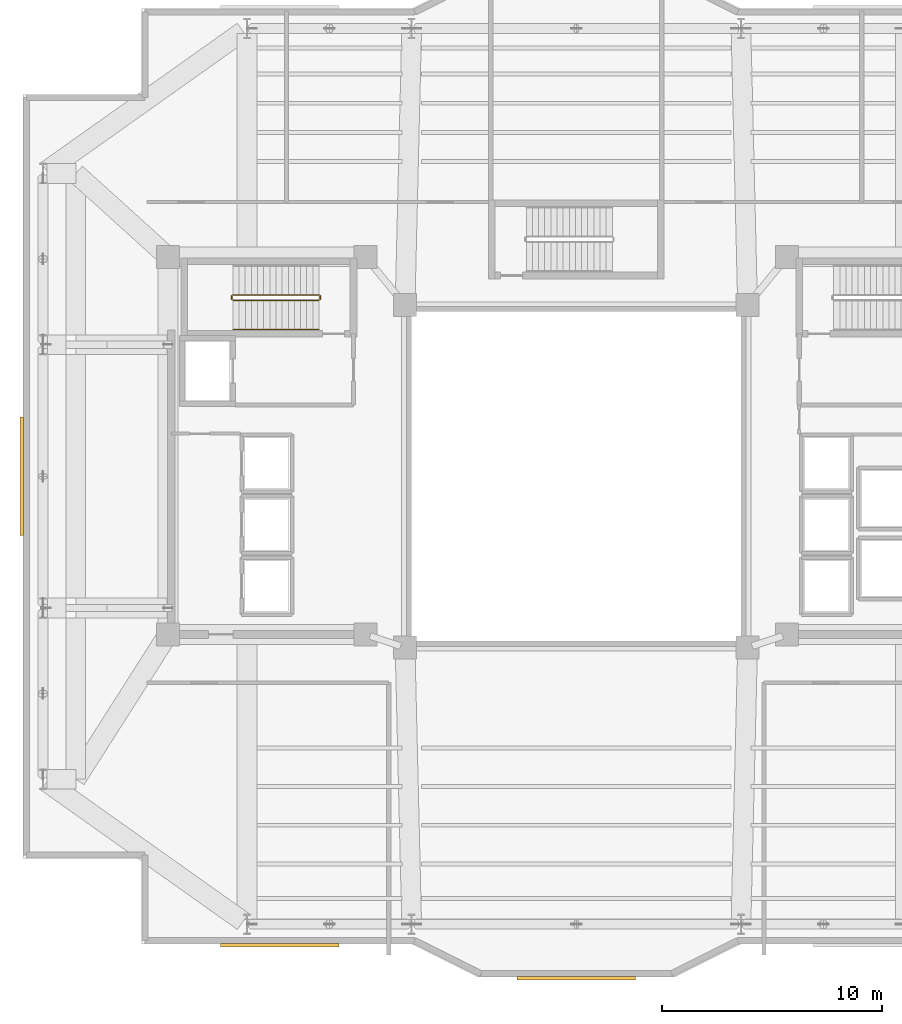
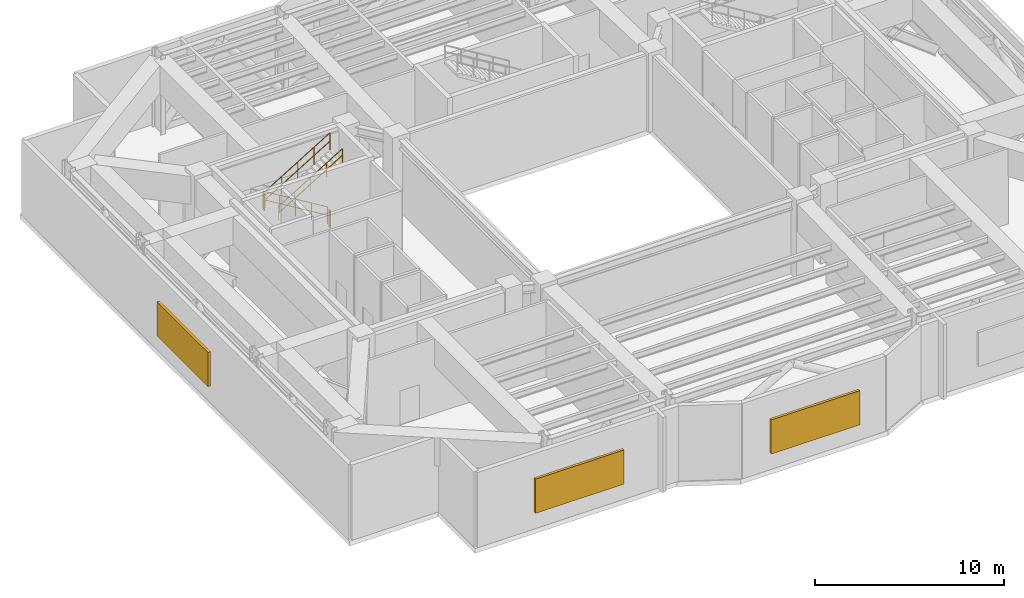
# One storey, part 11 of 13: 5 railings, 3 shading devices.
"""IFC4 building model written with IfcOpenShell, lengths in metres."""

from ifc_helpers import new_model, si_unit, direction, frame, origin, origin_2d, place, context, subcontext, project, spatial, rectangle, circle, extrude, material, layer, layer_set, type_object, element, save


model = new_model("IFC4")

# Units and contexts
model_context = context("Model", 3, precision=1e-05, world=origin(), true_north=direction((0.0, 1.0)))
body_context = subcontext(model_context, "Body", "Model", "MODEL_VIEW")
ifc_project = project(units=[si_unit("LENGTHUNIT", "METRE"), si_unit("AREAUNIT", "SQUARE_METRE"), si_unit("VOLUMEUNIT", "CUBIC_METRE"), si_unit("PLANEANGLEUNIT", "RADIAN"), si_unit("MASSUNIT", "GRAM", prefix="KILO")], contexts=[model_context])

# Site, building, storey
site_placement = place(None, origin())
site = spatial("IfcSite", under=ifc_project, at=site_placement, CompositionType="ELEMENT")
building_placement = place(site_placement, origin())
building = spatial("IfcBuilding", under=site, at=building_placement, Name="Tarnavaz Court Tower", CompositionType="ELEMENT")
storey_placement = place(building_placement, frame((0.0, 0.0, 181.800048828125)))
storey = spatial("IfcBuildingStorey", under=building, at=storey_placement, Name="L49", CompositionType="ELEMENT", Elevation=181.800048828125)

# Railings
ifc_material_1 = material(Name="Brushed Stainless Steel", Category="steel")
railing_type_1 = type_object("IfcRailingType", Name="RL-HANDRAIL-900", PredefinedType="HANDRAIL", material=ifc_material_1)
railing_1_placement = place(storey_placement, frame((-15.639892578125, 6.699951171875, 2.719970703125)))
element("IfcRailing", 1, at=railing_1_placement, inside=storey, type_object=railing_type_1, Name="L49 ST-W1 stair handrail 2", PredefinedType="HANDRAIL", context=body_context, shape_type="SweptSolid", body=[
    extrude(circle(Radius=0.02392578125, at=origin_2d()), frame((0.0, 0.0, 0.8759765625), z_axis=(0.854794262968, 0.0, 0.518967020143), x_axis=(0.0, 1.0, 0.0)), (0.0, 0.0, 1.0), 4.585693359375),
    extrude(circle(Radius=0.02392578125, at=origin_2d()), frame((0.0, 0.0, 0.449951171875), z_axis=(0.854794262968, 0.0, 0.518967020143), x_axis=(0.0, 1.0, 0.0)), (0.0, 0.0, 1.0), 4.585693359375),
    extrude(circle(Radius=0.02099609375, at=origin_2d()), origin(), (0.0, 0.0, 1.0), 0.851806640625),
    extrude(circle(Radius=0.02099609375, at=origin_2d()), frame((0.97998046875, 0.0, 0.594970703125)), (0.0, 0.0, 1.0), 0.851806640625),
    extrude(circle(Radius=0.02099609375, at=origin_2d()), frame((1.9599609375, 0.0, 1.18994140625)), (0.0, 0.0, 1.0), 0.851806640625),
    extrude(circle(Radius=0.02099609375, at=origin_2d()), frame((2.93994140625, 0.0, 1.784912109375)), (0.0, 0.0, 1.0), 0.851806640625),
    extrude(circle(Radius=0.02099609375, at=origin_2d()), frame((3.919921875, 0.0, 2.3798828125)), (0.0, 0.0, 1.0), 0.851806640625),
])
ifc_material_2 = material(Name="Galvanized Painted Tubular Steel", Category="steel")
railing_type_2 = type_object("IfcRailingType", Name="RL-STGUARD-1120", PredefinedType="GUARDRAIL", material=ifc_material_2)
railing_2_placement = place(storey_placement, frame((-11.719970703125, 8.27001953125, 0.169921875)))
element("IfcRailing", 2, at=railing_2_placement, inside=storey, type_object=railing_type_2, Name="L49 ST-W1 stair guard 1", PredefinedType="GUARDRAIL", context=body_context, shape_type="SweptSolid", body=[
    extrude(circle(Radius=0.02392578125, at=origin_2d()), frame((0.0, 0.0, 1.09619140625), z_axis=(-0.854770645689, 0.0, 0.519005918337), x_axis=(0.0, -1.0, 0.0)), (0.0, 0.0, 1.0), 4.5859375),
    extrude(circle(Radius=0.02392578125, at=origin_2d()), frame((0.0, 0.0, 0.56005859375), z_axis=(-0.854770645689, 0.0, 0.519005918337), x_axis=(0.0, -1.0, 0.0)), (0.0, 0.0, 1.0), 4.5859375),
    extrude(circle(Radius=0.02099609375, at=origin_2d()), origin(), (0.0, 0.0, 1.0), 1.072021484375),
    extrude(circle(Radius=0.02099609375, at=origin_2d()), frame((-0.97998046875, 0.0, 0.594970703125)), (0.0, 0.0, 1.0), 1.072021484375),
    extrude(circle(Radius=0.02099609375, at=origin_2d()), frame((-1.9599609375, 0.0, 1.18994140625)), (0.0, 0.0, 1.0), 1.072021484375),
    extrude(circle(Radius=0.02099609375, at=origin_2d()), frame((-2.93994140625, 0.0, 1.78515625)), (0.0, 0.0, 1.0), 1.072021484375),
    extrude(circle(Radius=0.02099609375, at=origin_2d()), frame((-3.919921875, 0.0, 2.380126953125)), (0.0, 0.0, 1.0), 1.072021484375),
])
railing_3_placement = place(storey_placement, frame((-15.68994140625, 8.219970703125, 2.550048828125)))
element("IfcRailing", 3, at=railing_3_placement, inside=storey, type_object=railing_type_2, Name="L49 ST-W1 stair guard 2", PredefinedType="GUARDRAIL", context=body_context, shape_type="SweptSolid", body=[
    extrude(circle(Radius=0.02392578125, at=origin_2d()), frame((0.0, 0.0, 1.09619140625), z_axis=(0.0, -1.0, 0.0), x_axis=(1.0, 0.0, 0.0)), (0.0, 0.0, 1.0), 0.14990234375),
    extrude(circle(Radius=0.02392578125, at=origin_2d()), frame((0.0, 0.0, 0.56005859375), z_axis=(0.0, -1.0, 0.0), x_axis=(1.0, 0.0, 0.0)), (0.0, 0.0, 1.0), 0.14990234375),
    extrude(circle(Radius=0.02099609375, at=origin_2d()), origin(), (0.0, 0.0, 1.0), 1.072021484375),
    extrude(circle(Radius=0.02099609375, at=origin_2d()), frame((0.0, -0.14990234375, 0.0)), (0.0, 0.0, 1.0), 1.072021484375),
])
railing_4_placement = place(storey_placement, frame((-15.639892578125, 8.02001953125, 2.719970703125)))
element("IfcRailing", 4, at=railing_4_placement, inside=storey, type_object=railing_type_2, Name="L49 ST-W1 stair guard 3", PredefinedType="GUARDRAIL", context=body_context, shape_type="SweptSolid", body=[
    extrude(circle(Radius=0.02392578125, at=origin_2d()), frame((0.0, 0.0, 1.09619140625), z_axis=(0.854794262968, 0.0, 0.518967020143), x_axis=(0.0, 1.0, 0.0)), (0.0, 0.0, 1.0), 4.585693359375),
    extrude(circle(Radius=0.02392578125, at=origin_2d()), frame((0.0, 0.0, 0.56005859375), z_axis=(0.854794262968, 0.0, 0.518967020143), x_axis=(0.0, 1.0, 0.0)), (0.0, 0.0, 1.0), 4.585693359375),
    extrude(circle(Radius=0.02099609375, at=origin_2d()), origin(), (0.0, 0.0, 1.0), 1.072021484375),
    extrude(circle(Radius=0.02099609375, at=origin_2d()), frame((0.97998046875, 0.0, 0.594970703125)), (0.0, 0.0, 1.0), 1.072021484375),
    extrude(circle(Radius=0.02099609375, at=origin_2d()), frame((1.9599609375, 0.0, 1.18994140625)), (0.0, 0.0, 1.0), 1.072021484375),
    extrude(circle(Radius=0.02099609375, at=origin_2d()), frame((2.93994140625, 0.0, 1.784912109375)), (0.0, 0.0, 1.0), 1.072021484375),
    extrude(circle(Radius=0.02099609375, at=origin_2d()), frame((3.919921875, 0.0, 2.3798828125)), (0.0, 0.0, 1.0), 1.072021484375),
])
railing_5_placement = place(storey_placement, frame((-11.669921875, 8.219970703125, 0.0)))
element("IfcRailing", 5, at=railing_5_placement, inside=storey, type_object=railing_type_2, Name="L49 ST-W1 stair guard 4", PredefinedType="GUARDRAIL", context=body_context, shape_type="SweptSolid", body=[
    extrude(circle(Radius=0.02392578125, at=origin_2d()), frame((0.0, 0.0, 1.09619140625), z_axis=(0.0, -1.0, 0.0), x_axis=(1.0, 0.0, 0.0)), (0.0, 0.0, 1.0), 0.14990234375),
    extrude(circle(Radius=0.02392578125, at=origin_2d()), frame((0.0, 0.0, 0.56005859375), z_axis=(0.0, -1.0, 0.0), x_axis=(1.0, 0.0, 0.0)), (0.0, 0.0, 1.0), 0.14990234375),
    extrude(circle(Radius=0.02099609375, at=origin_2d()), origin(), (0.0, 0.0, 1.0), 1.072021484375),
    extrude(circle(Radius=0.02099609375, at=origin_2d()), frame((0.0, -0.14990234375, 0.0)), (0.0, 0.0, 1.0), 1.072021484375),
])

# Shading devices
ifc_material_3 = material(Name="Anodised Aluminium 6063-T6 Acoustic Louvre", Category="aluminium")
ifc_layer = layer(ifc_material_3, 0.159912109375)
ifc_layer_set = layer_set([ifc_layer], Name="Anodised Aluminium 6063-T6 Acoustic Louvre")
shading_device_type = type_object("IfcShadingDeviceType", Name="SD-LOUV-200", PredefinedType="JALOUSIE", material=ifc_layer_set)
for number, where, z_axis, x_axis, name in (
    (6, (-25.260009765625, 0.0, 1.10009765625), (0.0, 0.0, 1.0), (0.0, 1.0, 0.0), "L49 Plant Sand-Trap Acoustic Louvre 02"),
    (7, (0.0, -22.860107421875, 1.10009765625), (0.0, 0.0, 1.0), (-1.0, 0.0, 0.0), "L49 Plant Sand-Trap Acoustic Louvre 17"),
    (8, (-13.5, -21.360107421875, 1.10009765625), (0.0, 0.0, 1.0), (-1.0, 0.0, 0.0), "L49 Plant Sand-Trap Acoustic Louvre 19"),
):
    element("IfcShadingDevice", number, at=place(storey_placement, frame(where, z_axis=z_axis, x_axis=x_axis)), inside=storey, type_object=shading_device_type, Name=name, PredefinedType="JALOUSIE", context=body_context, shape_type="SweptSolid", body=[
        extrude(rectangle(XDim=5.39990234375, YDim=0.159912109375, at=origin_2d()), origin(), (0.0, 0.0, 1.0), 2.199951171875),
    ])

save(model, "model.ifc")
